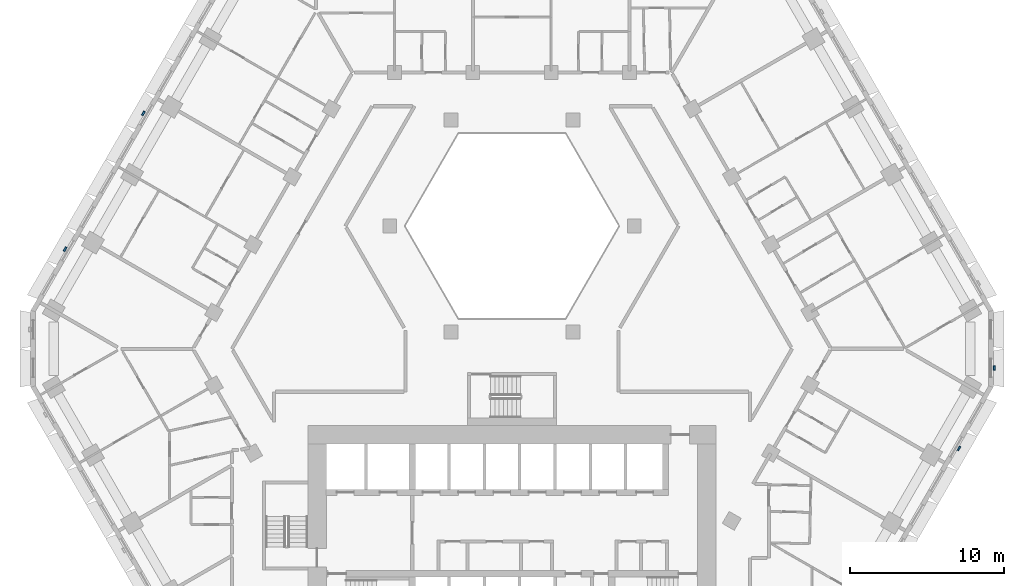
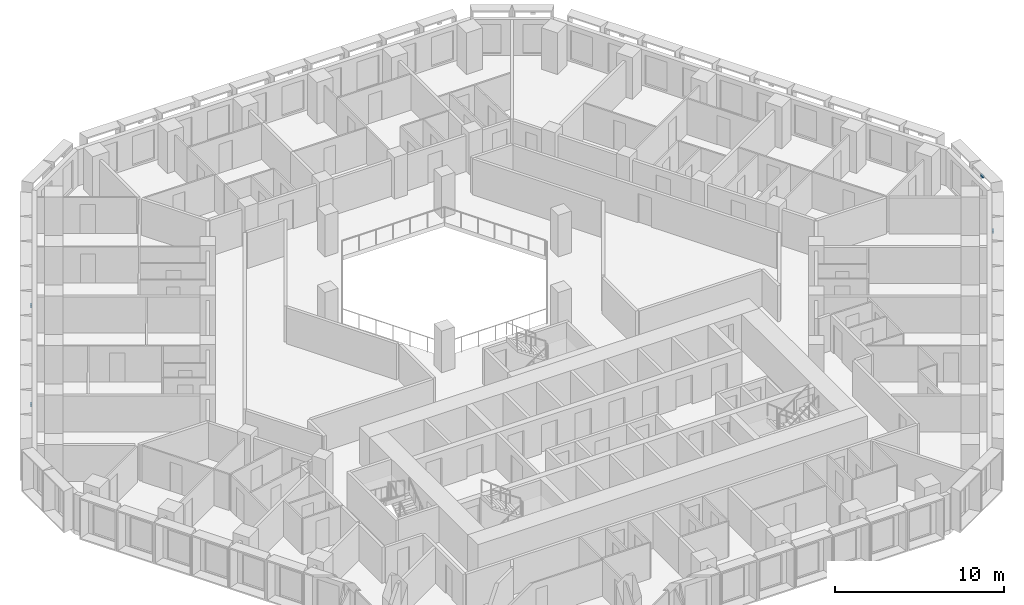
# One storey, part 14 of 21: 4 discrete accessories.
"""IFC4 building model written with IfcOpenShell, lengths in metres."""

import ifcopenshell
import ifcopenshell.guid

model = None  # the IFC model being written
_history = None  # IfcOwnerHistory: only IFC2X3 demands one
_inside = {}  # id of a spatial element -> (the spatial element, [elements in it])
_under = {}  # id of a project, library or spatial element -> (it, [spatial elements below it])
_declared = {}  # id of a project -> (the project, [libraries it declares])
_typed = {}  # id of a type object -> (the type object, [elements of that type])
_made_of = {}  # id of a material, layer set ... -> (it, [elements and type objects made of it])


def new_model(schema):
    """Start an empty IFC model of exactly this schema.

    Asked for "IFC4X3", IfcOpenShell would pick the latest addendum, in which some entities
    have other attributes; the version numbers below select the first issue.
    IFC2X3 requires an IfcOwnerHistory on every rooted entity: one is made here for all.
    """
    global model, _history
    if schema == "IFC4X3":
        model = ifcopenshell.file(schema_version=(4, 3, 0, 0))
    else:
        model = ifcopenshell.file(schema=schema)
    _inside.clear()
    _under.clear()
    _declared.clear()
    _typed.clear()
    _made_of.clear()
    _history = None
    if model.schema == "IFC2X3":
        org = make("IfcOrganization", Name="unknown")
        user = make(
            "IfcPersonAndOrganization",
            ThePerson=make("IfcPerson", FamilyName="unknown"),
            TheOrganization=org,
        )
        app = make(
            "IfcApplication",
            ApplicationDeveloper=org,
            Version="unknown",
            ApplicationFullName="unknown",
            ApplicationIdentifier="unknown",
        )
        _history = make(
            "IfcOwnerHistory",
            OwningUser=user,
            OwningApplication=app,
            ChangeAction="ADDED",
            CreationDate=0,
        )
    return model


def make(cls, **values):
    """One entity of the class cls with the attributes given. An attribute that is None is left unset."""
    return model.create_entity(
        cls, **{name: value for name, value in values.items() if value is not None}
    )


def rooted(cls, **values):
    """An entity with a GlobalId (a new one), such as an element, a storey or a relation."""
    return make(cls, GlobalId=ifcopenshell.guid.new(), OwnerHistory=_history, **values)


def si_unit(unit_type, name, prefix=None):
    """IfcSIUnit, for example si_unit("LENGTHUNIT", "METRE", prefix="MILLI")."""
    return make("IfcSIUnit", UnitType=unit_type, Prefix=prefix, Name=name)


def assignment(units):
    """IfcUnitAssignment: the units of a project."""
    return None if units is None else make("IfcUnitAssignment", Units=units)


def point(xyz):
    """IfcCartesianPoint."""
    return None if xyz is None else make("IfcCartesianPoint", Coordinates=xyz)


def direction(xyz):
    """IfcDirection."""
    return None if xyz is None else make("IfcDirection", DirectionRatios=xyz)


def frame(location, z_axis=None, x_axis=None):
    """IfcAxis2Placement3D, a coordinate frame: its origin and axes. An axis left out is left unset."""
    return make(
        "IfcAxis2Placement3D",
        Location=point(location),
        Axis=direction(z_axis),
        RefDirection=direction(x_axis),
    )


def origin():
    """The frame at (0, 0, 0) with its axes left unset."""
    return frame((0.0, 0.0, 0.0))


def place(relative_to, where):
    """IfcLocalPlacement: puts the frame where relative to a parent placement (None: the world)."""
    return make(
        "IfcLocalPlacement", PlacementRelTo=relative_to, RelativePlacement=where
    )


def context(
    kind, dimensions, precision=None, world=None, true_north=None, identifier=None
):
    """IfcGeometricRepresentationContext, for example the 3D "Model" context."""
    return make(
        "IfcGeometricRepresentationContext",
        ContextIdentifier=identifier,
        ContextType=kind,
        CoordinateSpaceDimension=dimensions,
        Precision=precision,
        WorldCoordinateSystem=world,
        TrueNorth=true_north,
    )


def subcontext(parent, identifier, kind, view, scale=None):
    """IfcGeometricRepresentationSubContext, for example "Body" below "Model"."""
    return make(
        "IfcGeometricRepresentationSubContext",
        ContextIdentifier=identifier,
        ContextType=kind,
        ParentContext=parent,
        TargetScale=scale,
        TargetView=view,
    )


def project(units=None, contexts=None):
    """IfcProject with its units and contexts."""
    return rooted(
        "IfcProject",
        Name="project",
        RepresentationContexts=contexts,
        UnitsInContext=assignment(units),
    )


def spatial(cls, under=None, at=None, **own):
    """A site, building, storey or space (cls), placed at a placement, below another one or the project."""
    s = rooted(cls, ObjectPlacement=at, **own)
    if under is not None:
        _under.setdefault(under.id(), (under, []))[1].append(s)
    return s


def polyline(points):
    """IfcPolyline through the points."""
    return make("IfcPolyline", Points=[point(p) for p in points])


def outline(outer, holes=None, kind="AREA"):
    """IfcArbitraryClosedProfileDef: a profile drawn as a closed curve; with holes, ...WithVoids."""
    if holes is None:
        return make("IfcArbitraryClosedProfileDef", ProfileType=kind, OuterCurve=outer)
    return make(
        "IfcArbitraryProfileDefWithVoids",
        ProfileType=kind,
        OuterCurve=outer,
        InnerCurves=holes,
    )


def extrude(swept, where, along, depth):
    """IfcExtrudedAreaSolid: the profile swept, set in the frame where, extruded along a direction by depth."""
    return make(
        "IfcExtrudedAreaSolid",
        SweptArea=swept,
        Position=where,
        ExtrudedDirection=direction(along),
        Depth=depth,
    )


def shape(context_of_items, identifier, shape_type, items):
    """IfcShapeRepresentation: the items that make up one representation, for example the "Body"."""
    return make(
        "IfcShapeRepresentation",
        ContextOfItems=context_of_items,
        RepresentationIdentifier=identifier,
        RepresentationType=shape_type,
        Items=items,
    )


def source(mapping_origin, context_of_items, identifier, shape_type, items):
    """IfcRepresentationMap: a shape defined once, which mapped items show again and again."""
    return make(
        "IfcRepresentationMap",
        MappingOrigin=mapping_origin,
        MappedRepresentation=shape(context_of_items, identifier, shape_type, items),
    )


def transform(
    local_origin,
    x_axis=None,
    y_axis=None,
    z_axis=None,
    scale=None,
    scale2=None,
    scale3=None,
    uniform=True,
):
    """IfcCartesianTransformationOperator3D, or its non-uniform kind. x_axis, y_axis, z_axis: its Axis1, 2, 3."""
    if uniform:
        return make(
            "IfcCartesianTransformationOperator3D",
            Axis1=direction(x_axis),
            Axis2=direction(y_axis),
            LocalOrigin=point(local_origin),
            Scale=scale,
            Axis3=direction(z_axis),
        )
    return make(
        "IfcCartesianTransformationOperator3DnonUniform",
        Axis1=direction(x_axis),
        Axis2=direction(y_axis),
        LocalOrigin=point(local_origin),
        Scale=scale,
        Axis3=direction(z_axis),
        Scale2=scale2,
        Scale3=scale3,
    )


def mapped(mapping_source, mapping_target):
    """IfcMappedItem: shows the shape of a source again, moved by a transform."""
    return make(
        "IfcMappedItem", MappingSource=mapping_source, MappingTarget=mapping_target
    )


def material(Name=None, Category=None):
    """IfcMaterial."""
    return make("IfcMaterial", Name=Name, Category=Category)


def made_of(thing, what):
    """Note that an element or type object is made of a material, layer set ...; save() writes the relation."""
    if what is not None:
        _made_of.setdefault(what.id(), (what, []))[1].append(thing)
    return thing


def type_object(cls, material=None, **own):
    """A type object (cls), such as IfcWallType, which elements share."""
    return made_of(rooted(cls, **own), material)


def type_shapes(of_type, sources):
    """Give a type object the sources (RepresentationMaps) that its elements show as mapped items."""
    of_type.RepresentationMaps = sources


def element(
    cls,
    number,
    at=None,
    inside=None,
    cuts=None,
    type_object=None,
    material=None,
    context=None,
    identifier="Body",
    shape_type=None,
    held_by="IfcProductDefinitionShape",
    body=None,
    shapes=None,
    **own,
):
    """One element of the class cls, such as IfcWall. Its Tag is "e" and its number.

    at: its placement. inside: the storey or other place that contains it. cuts: it is an
    opening in that element (IfcRelVoidsElement). A single representation is given by context,
    identifier, shape_type and body (its items); several are given by shapes. held_by: the class
    of the entity that holds the representations. save() writes the other relations.
    """
    e = rooted(cls, Tag="e%d" % number, ObjectPlacement=at, **own)
    if body is not None:
        shapes = [shape(context, identifier, shape_type, body)]
    if shapes is not None:
        e.Representation = make(held_by, Representations=shapes)
    if inside is not None:
        _inside.setdefault(inside.id(), (inside, []))[1].append(e)
    if cuts is not None:
        rooted(
            "IfcRelVoidsElement", RelatingBuildingElement=cuts, RelatedOpeningElement=e
        )
    if type_object is not None:
        _typed.setdefault(type_object.id(), (type_object, []))[1].append(e)
    return made_of(e, material)


def aggregate(whole, parts):
    """IfcRelAggregates: a whole, such as a stair, and the parts it consists of."""
    return rooted("IfcRelAggregates", RelatingObject=whole, RelatedObjects=parts)


def save(model, path):
    """Write the relations noted so far, then the file.

    IfcRelAggregates (storeys below a building ...), IfcRelContainedInSpatialStructure (elements
    in a storey), IfcRelDefinesByType, IfcRelAssociatesMaterial and IfcRelDeclares: one each for
    every whole, place, type object, material and project.
    """
    for whole, parts in _under.values():
        aggregate(whole, parts)
    for where, things in _inside.values():
        rooted(
            "IfcRelContainedInSpatialStructure",
            RelatedElements=things,
            RelatingStructure=where,
        )
    for kind, things in _typed.values():
        rooted("IfcRelDefinesByType", RelatedObjects=things, RelatingType=kind)
    for what, things in _made_of.values():
        rooted("IfcRelAssociatesMaterial", RelatedObjects=things, RelatingMaterial=what)
    for by, libraries in _declared.values():
        rooted("IfcRelDeclares", RelatingContext=by, RelatedDefinitions=libraries)
    model.write(path)


model = new_model("IFC4")

# Units and contexts
model_context = context("Model", 3, precision=1e-05, world=origin(), true_north=direction((0.0, 1.0)))
body_context = subcontext(model_context, "Body", "Model", "MODEL_VIEW")
ifc_project = project(units=[si_unit("LENGTHUNIT", "METRE"), si_unit("AREAUNIT", "SQUARE_METRE"), si_unit("VOLUMEUNIT", "CUBIC_METRE"), si_unit("PLANEANGLEUNIT", "RADIAN"), si_unit("MASSUNIT", "GRAM", prefix="KILO")], contexts=[model_context])

# Site, building, storey
site_placement = place(None, origin())
site = spatial("IfcSite", under=ifc_project, at=site_placement, CompositionType="ELEMENT")
building_placement = place(site_placement, origin())
building = spatial("IfcBuilding", under=site, at=building_placement, Name="Beryl Residences", CompositionType="ELEMENT")
storey_placement = place(building_placement, frame((0.0, 0.0, 59.39990234375)))
storey = spatial("IfcBuildingStorey", under=building, at=storey_placement, Name="L18", CompositionType="ELEMENT", Elevation=59.39990234375)

# Discrete accessories
ifc_material = material(Name="Steel S355", Category="steel")
discrete_accessory_type = type_object("IfcDiscreteAccessoryType", Name="BR1 frame bracket 300 x 120 x 150 mm", PredefinedType="BRACKET", material=ifc_material)
shared_shape = source(origin(), body_context, "Body", "SweptSolid", [
    extrude(outline(polyline([(-0.14990234375, 0.0), (0.14990234375, 0.0), (0.14990234375, 0.1201171875), (-0.14990234375, 0.1201171875), (-0.14990234375, 0.0)])), origin(), (0.0, 0.0, 1.0), 0.14990234375),
])
type_shapes(discrete_accessory_type, [shared_shape])
for number, where, z_axis, x_axis, name in (
    (1, (-23.9580078125, 15.303955078125, 2.75), (0.0, 0.0, 1.0), (0.5, 0.866025403784, 0.0), "BR1 bracket L18 NW 5"),
    (2, (-29.06103515625, 6.464111328125, 2.75), (0.0, 0.0, 1.0), (0.5, 0.866025403784, 0.0), "BR1 bracket L18 NW 9"),
    (3, (29.06103515625, -6.464111328125, 2.75), (0.0, 0.0, 1.0), (-0.5, -0.866025403784, 0.0), "BR1 bracket L18 SE 9"),
    (4, (31.35009765625, -1.25, 2.75), (0.0, 0.0, 1.0), (0.0, -1.0, 0.0), "BR1 bracket L18 SE-NE 1"),
):
    element("IfcDiscreteAccessory", number, at=place(storey_placement, frame(where, z_axis=z_axis, x_axis=x_axis)), inside=storey, type_object=discrete_accessory_type, Name=name, PredefinedType="BRACKET", context=body_context, shape_type="MappedRepresentation", body=[
        mapped(shared_shape, transform((0.0, 0.0, 0.0))),
    ])

save(model, "model.ifc")
